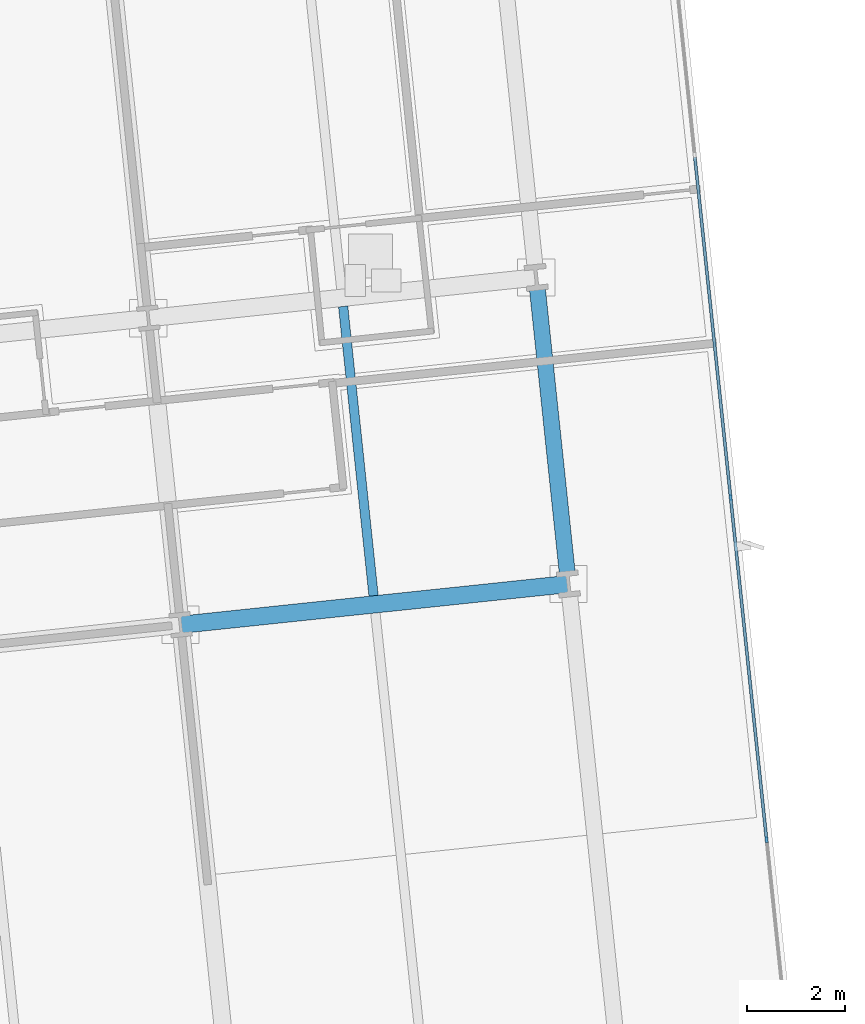
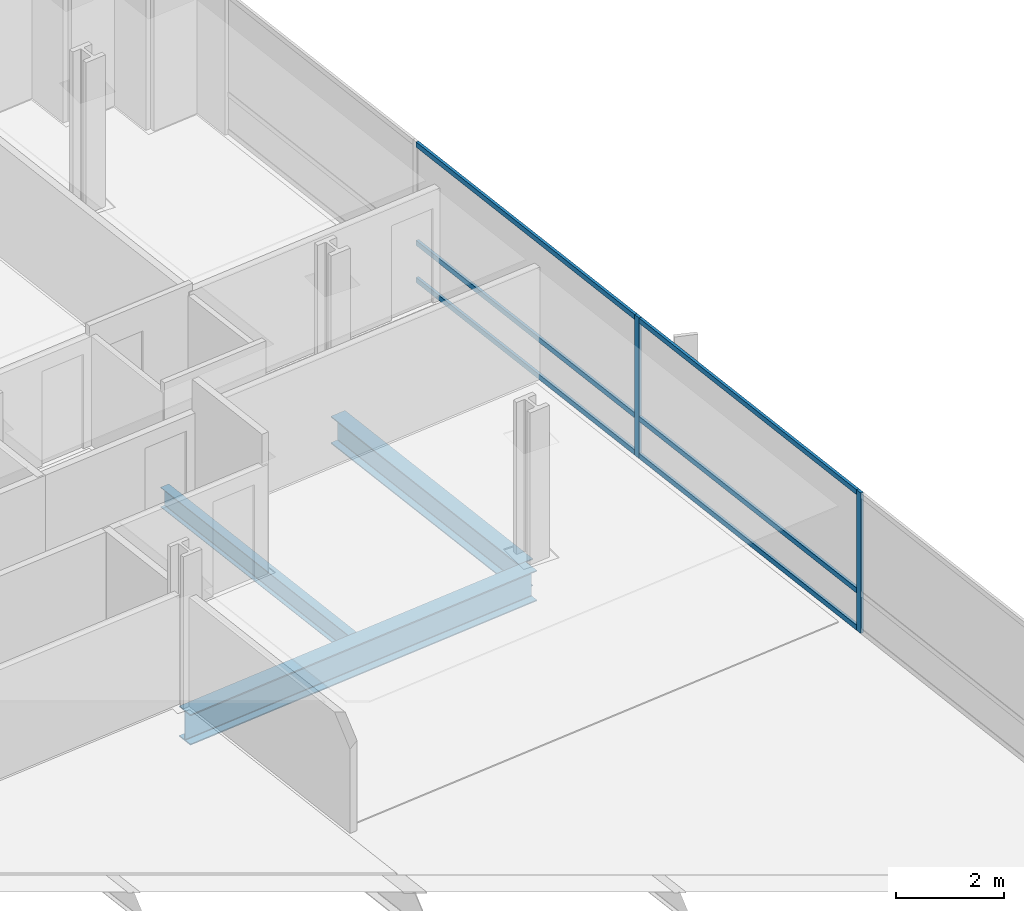
# One storey, part 8 of 20: 8 members, 3 beams, 1 element without a shape of its own.
"""IFC4 building model written with IfcOpenShell, lengths in metres."""

from ifc_helpers import new_model, si_unit, direction, frame, origin, origin_2d, place, context, subcontext, project, spatial, rectangle, i_section, extrude, material, material_profile, profile_set, type_object, element, aggregate, save


model = new_model("IFC4")

# Units and contexts
model_context = context("Model", 3, precision=1e-05, world=origin(), true_north=direction((0.0, 1.0)))
body_context = subcontext(model_context, "Body", "Model", "MODEL_VIEW")
ifc_project = project(units=[si_unit("LENGTHUNIT", "METRE"), si_unit("AREAUNIT", "SQUARE_METRE"), si_unit("VOLUMEUNIT", "CUBIC_METRE"), si_unit("PLANEANGLEUNIT", "RADIAN"), si_unit("MASSUNIT", "GRAM", prefix="KILO")], contexts=[model_context])

# Site, building, storey
site_placement = place(None, origin())
site = spatial("IfcSite", under=ifc_project, at=site_placement, CompositionType="ELEMENT")
building_placement = place(site_placement, origin())
building = spatial("IfcBuilding", under=site, at=building_placement, Name="Solmavex Isthmus Hotel", CompositionType="ELEMENT")
storey_placement = place(building_placement, frame((0.0, 0.0, 109.800048828125)))
storey = spatial("IfcBuildingStorey", under=building, at=storey_placement, Name="L29", CompositionType="ELEMENT", Elevation=109.800048828125)

# Beams
ifc_material_1 = material(Name="Steel ASTM A992 Grade 50", Category="steel")
ifc_material_profile_1 = material_profile(ifc_material_1, i_section(OverallWidth=0.354736328125, OverallDepth=0.695556640625, WebThickness=0.015380859375, FlangeThickness=0.02490234375, FilletRadius=0.017822265625, at=origin_2d()), Name="W27X146")
ifc_profile_set_1 = profile_set([ifc_material_profile_1], Name="Steel ASTM A992 Grade 50")
beam_type_1 = type_object("IfcBeamType", Name="BM-BG-W27X146", PredefinedType="BEAM", material=ifc_profile_set_1)
beam_1_placement = place(storey_placement, frame((21.2197265625, 5.658447265625, -0.60791015625), z_axis=(0.994523402738, 0.104514120609, 0.0), x_axis=(-0.104514120609, 0.994523402738, 0.0)))
element("IfcBeam", 1, at=beam_1_placement, inside=storey, type_object=beam_type_1, Name="Floor Girder L29-UG12", PredefinedType="BEAM", context=body_context, shape_type="SweptSolid", body=[
    extrude(i_section(OverallWidth=0.354736328125, OverallDepth=0.695556640625, WebThickness=0.015380859375, FlangeThickness=0.02490234375, FilletRadius=0.017822265625, at=origin_2d()), origin(), (0.0, 0.0, 1.0), 7.968017578125),
])
ifc_material_profile_2 = material_profile(ifc_material_1, i_section(OverallWidth=0.1904296875, OverallDepth=0.456787109375, WebThickness=0.009033203125, FlangeThickness=0.014404296875, FilletRadius=0.0126953125, at=origin_2d()), Name="W18X50")
ifc_profile_set_2 = profile_set([ifc_material_profile_2], Name="Steel ASTM A992 Grade 50")
beam_type_2 = type_object("IfcBeamType", Name="BM-BJ-W18X50", PredefinedType="JOIST", material=ifc_profile_set_2)
beam_2_placement = place(storey_placement, frame((25.163330078125, 6.251220703125, -0.488525390625), z_axis=(-0.104505160346, 0.994524344328, 0.0), x_axis=(-0.994524344328, -0.104505160346, 0.0)))
element("IfcBeam", 2, at=beam_2_placement, inside=storey, type_object=beam_type_2, Name="Secondary Floor Joist L29-J20", PredefinedType="JOIST", context=body_context, shape_type="SweptSolid", body=[
    extrude(i_section(OverallWidth=0.1904296875, OverallDepth=0.456787109375, WebThickness=0.009033203125, FlangeThickness=0.014404296875, FilletRadius=0.0126953125, at=origin_2d()), origin(), (0.0, 0.0, 1.0), 5.943115234375),
])
ifc_material_profile_3 = material_profile(ifc_material_1, i_section(OverallWidth=0.326416015625, OverallDepth=0.621826171875, WebThickness=0.015380859375, FlangeThickness=0.0244140625, FilletRadius=0.01513671875, at=origin_2d()), Name="W24X131")
ifc_profile_set_3 = profile_set([ifc_material_profile_3], Name="Steel ASTM A992 Grade 50")
beam_type_3 = type_object("IfcBeamType", Name="BM-SP-W24X131", PredefinedType="SPANDREL", material=ifc_profile_set_3)
beam_3_placement = place(storey_placement, frame((29.12548828125, 6.667724609375, -0.571044921875), z_axis=(-0.104505160346, 0.994524344328, 0.0), x_axis=(-0.994524344328, -0.104505160346, 0.0)))
element("IfcBeam", 3, at=beam_3_placement, inside=storey, type_object=beam_type_3, Name="Floor Beam L29-VG47", PredefinedType="SPANDREL", context=body_context, shape_type="SweptSolid", body=[
    extrude(i_section(OverallWidth=0.326416015625, OverallDepth=0.621826171875, WebThickness=0.015380859375, FlangeThickness=0.0244140625, FilletRadius=0.01513671875, at=origin_2d()), origin(), (0.0, 0.0, 1.0), 5.943115234375),
])

# Curtain wall, members
ifc_material_2 = material(Name="Aluminium alloy 6063-T6", Category="aluminium")
curtain_wall_type = type_object("IfcCurtainWallType", Name="CW-SYS-06", PredefinedType="NOTDEFINED", material=ifc_material_2)
curtain_wall_placement = place(storey_placement, origin())
curtain_wall = element("IfcCurtainWall", 4, at=curtain_wall_placement, inside=storey, type_object=curtain_wall_type, Name="Stick Curtain Wall CWL-L29-E1", PredefinedType="NOTDEFINED")
ifc_material_profile_4 = material_profile(ifc_material_2, rectangle(XDim=0.06005859375, YDim=0.139892578125, at=origin_2d()), Name="CWM-60X140")
ifc_profile_set_4 = profile_set([ifc_material_profile_4], Name="Aluminium alloy 6063-T6")
member_type_1 = type_object("IfcMemberType", Name="CW-SYS-06-MUL", PredefinedType="MULLION", material=ifc_profile_set_4)
member_1_placement = place(storey_placement, frame((33.19140625, 1.275634765625, 0.0), z_axis=(0.0, 0.0, 1.0), x_axis=(-0.994521893044, -0.104528485381, 0.0)))
member_1 = element("IfcMember", 5, at=member_1_placement, type_object=member_type_1, Name="CW-06 mullion 3", PredefinedType="MULLION", context=body_context, shape_type="SweptSolid", body=[
    extrude(rectangle(XDim=0.06005859375, YDim=0.139892578125, at=origin_2d()), origin(), (0.0, 0.0, 1.0), 3.18994140625),
])
member_2_placement = place(storey_placement, frame((32.45751953125, 8.25732421875, 0.0), z_axis=(0.0, 0.0, 1.0), x_axis=(-0.994521893044, -0.104528485381, 0.0)))
member_2 = element("IfcMember", 6, at=member_2_placement, type_object=member_type_1, Name="CW-06 mullion 4", PredefinedType="MULLION", context=body_context, shape_type="SweptSolid", body=[
    extrude(rectangle(XDim=0.06005859375, YDim=0.139892578125, at=origin_2d()), origin(), (0.0, 0.0, 1.0), 3.18994140625),
])
ifc_material_profile_5 = material_profile(ifc_material_2, rectangle(XDim=0.06005859375, YDim=0.114990234375, at=origin_2d()), Name="CWT-60X115")
ifc_profile_set_5 = profile_set([ifc_material_profile_5], Name="Aluminium alloy 6063-T6")
member_type_2 = type_object("IfcMemberType", Name="CW-SYS-06-TRN", PredefinedType="USERDEFINED", material=ifc_profile_set_5)
member_3_placement = place(storey_placement, frame((33.188232421875, 1.3056640625, 0.057373046875), z_axis=(-0.104531402636, 0.994521586424, 0.0), x_axis=(-0.994521586424, -0.104531402636, 0.0)))
member_3 = element("IfcMember", 7, at=member_3_placement, type_object=member_type_2, Name="CW-06 transom 3.1", ObjectType="TRANSOM", PredefinedType="USERDEFINED", context=body_context, shape_type="SweptSolid", body=[
    extrude(rectangle(XDim=0.06005859375, YDim=0.114990234375, at=origin_2d()), origin(), (0.0, 0.0, 1.0), 6.9599609375),
])
member_4_placement = place(storey_placement, frame((33.188232421875, 1.3056640625, 0.89990234375), z_axis=(-0.104531402636, 0.994521586424, 0.0), x_axis=(-0.994521586424, -0.104531402636, 0.0)))
member_4 = element("IfcMember", 8, at=member_4_placement, type_object=member_type_2, Name="CW-06 transom 3.2", ObjectType="TRANSOM", PredefinedType="USERDEFINED", context=body_context, shape_type="SweptSolid", body=[
    extrude(rectangle(XDim=0.06005859375, YDim=0.114990234375, at=origin_2d()), origin(), (0.0, 0.0, 1.0), 6.9599609375),
])
member_5_placement = place(storey_placement, frame((33.188232421875, 1.3056640625, 3.132568359375), z_axis=(-0.104531402636, 0.994521586424, 0.0), x_axis=(-0.994521586424, -0.104531402636, 0.0)))
member_5 = element("IfcMember", 9, at=member_5_placement, type_object=member_type_2, Name="CW-06 transom 3.3", ObjectType="TRANSOM", PredefinedType="USERDEFINED", context=body_context, shape_type="SweptSolid", body=[
    extrude(rectangle(XDim=0.06005859375, YDim=0.114990234375, at=origin_2d()), origin(), (0.0, 0.0, 1.0), 6.9599609375),
])
member_6_placement = place(storey_placement, frame((32.45458984375, 8.287109375, 0.057373046875), z_axis=(-0.104531402636, 0.994521586424, 0.0), x_axis=(-0.994521586424, -0.104531402636, 0.0)))
member_6 = element("IfcMember", 10, at=member_6_placement, type_object=member_type_2, Name="CW-06 transom 4.1", ObjectType="TRANSOM", PredefinedType="USERDEFINED", context=body_context, shape_type="SweptSolid", body=[
    extrude(rectangle(XDim=0.06005859375, YDim=0.114990234375, at=origin_2d()), origin(), (0.0, 0.0, 1.0), 6.9599609375),
])
member_7_placement = place(storey_placement, frame((32.45458984375, 8.287109375, 0.89990234375), z_axis=(-0.104531402636, 0.994521586424, 0.0), x_axis=(-0.994521586424, -0.104531402636, 0.0)))
member_7 = element("IfcMember", 11, at=member_7_placement, type_object=member_type_2, Name="CW-06 transom 4.2", ObjectType="TRANSOM", PredefinedType="USERDEFINED", context=body_context, shape_type="SweptSolid", body=[
    extrude(rectangle(XDim=0.06005859375, YDim=0.114990234375, at=origin_2d()), origin(), (0.0, 0.0, 1.0), 6.9599609375),
])
member_8_placement = place(storey_placement, frame((32.45458984375, 8.287109375, 3.132568359375), z_axis=(-0.104531402636, 0.994521586424, 0.0), x_axis=(-0.994521586424, -0.104531402636, 0.0)))
member_8 = element("IfcMember", 12, at=member_8_placement, type_object=member_type_2, Name="CW-06 transom 4.3", ObjectType="TRANSOM", PredefinedType="USERDEFINED", context=body_context, shape_type="SweptSolid", body=[
    extrude(rectangle(XDim=0.06005859375, YDim=0.114990234375, at=origin_2d()), origin(), (0.0, 0.0, 1.0), 6.9599609375),
])
aggregate(curtain_wall, [member_1, member_2, member_3, member_4, member_5, member_6, member_7, member_8])

save(model, "model.ifc")
